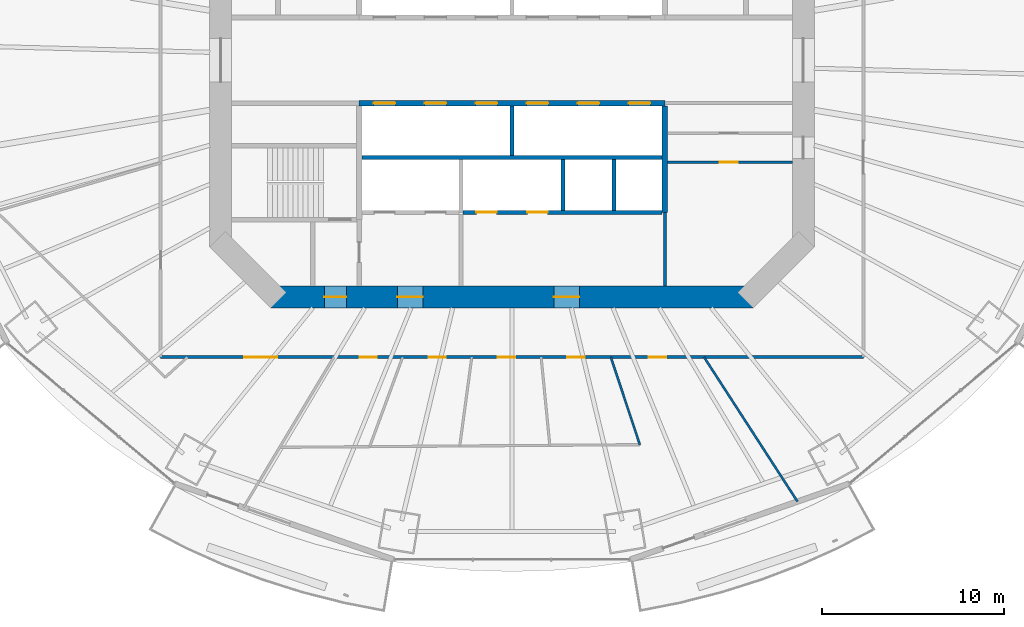
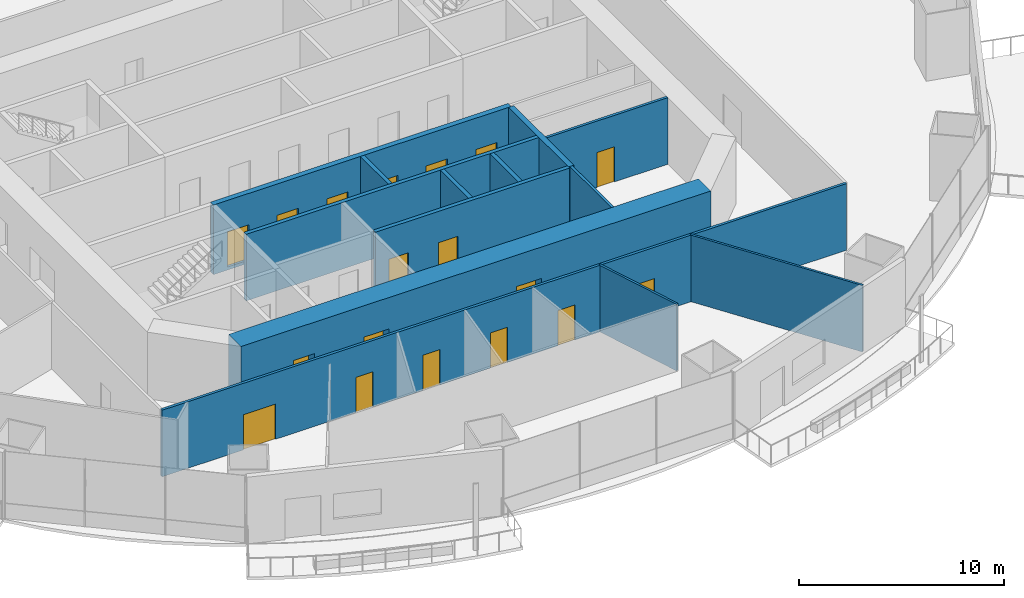
# One storey, part 13 of 20: 18 doors, 13 walls, 18 openings.
"""IFC4 building model written with IfcOpenShell, lengths in metres."""

import ifcopenshell
import ifcopenshell.guid

model = None  # the IFC model being written
_history = None  # IfcOwnerHistory: only IFC2X3 demands one
_inside = {}  # id of a spatial element -> (the spatial element, [elements in it])
_under = {}  # id of a project, library or spatial element -> (it, [spatial elements below it])
_declared = {}  # id of a project -> (the project, [libraries it declares])
_typed = {}  # id of a type object -> (the type object, [elements of that type])
_made_of = {}  # id of a material, layer set ... -> (it, [elements and type objects made of it])


def new_model(schema):
    """Start an empty IFC model of exactly this schema.

    Asked for "IFC4X3", IfcOpenShell would pick the latest addendum, in which some entities
    have other attributes; the version numbers below select the first issue.
    IFC2X3 requires an IfcOwnerHistory on every rooted entity: one is made here for all.
    """
    global model, _history
    if schema == "IFC4X3":
        model = ifcopenshell.file(schema_version=(4, 3, 0, 0))
    else:
        model = ifcopenshell.file(schema=schema)
    _inside.clear()
    _under.clear()
    _declared.clear()
    _typed.clear()
    _made_of.clear()
    _history = None
    if model.schema == "IFC2X3":
        org = make("IfcOrganization", Name="unknown")
        user = make(
            "IfcPersonAndOrganization",
            ThePerson=make("IfcPerson", FamilyName="unknown"),
            TheOrganization=org,
        )
        app = make(
            "IfcApplication",
            ApplicationDeveloper=org,
            Version="unknown",
            ApplicationFullName="unknown",
            ApplicationIdentifier="unknown",
        )
        _history = make(
            "IfcOwnerHistory",
            OwningUser=user,
            OwningApplication=app,
            ChangeAction="ADDED",
            CreationDate=0,
        )
    return model


def make(cls, **values):
    """One entity of the class cls with the attributes given. An attribute that is None is left unset."""
    return model.create_entity(
        cls, **{name: value for name, value in values.items() if value is not None}
    )


def rooted(cls, **values):
    """An entity with a GlobalId (a new one), such as an element, a storey or a relation."""
    return make(cls, GlobalId=ifcopenshell.guid.new(), OwnerHistory=_history, **values)


def si_unit(unit_type, name, prefix=None):
    """IfcSIUnit, for example si_unit("LENGTHUNIT", "METRE", prefix="MILLI")."""
    return make("IfcSIUnit", UnitType=unit_type, Prefix=prefix, Name=name)


def assignment(units):
    """IfcUnitAssignment: the units of a project."""
    return None if units is None else make("IfcUnitAssignment", Units=units)


def point(xyz):
    """IfcCartesianPoint."""
    return None if xyz is None else make("IfcCartesianPoint", Coordinates=xyz)


def direction(xyz):
    """IfcDirection."""
    return None if xyz is None else make("IfcDirection", DirectionRatios=xyz)


def frame(location, z_axis=None, x_axis=None):
    """IfcAxis2Placement3D, a coordinate frame: its origin and axes. An axis left out is left unset."""
    return make(
        "IfcAxis2Placement3D",
        Location=point(location),
        Axis=direction(z_axis),
        RefDirection=direction(x_axis),
    )


def frame_2d(location, x_axis=None):
    """IfcAxis2Placement2D, a coordinate frame in the plane: its origin and x axis."""
    return make(
        "IfcAxis2Placement2D", Location=point(location), RefDirection=direction(x_axis)
    )


def origin():
    """The frame at (0, 0, 0) with its axes left unset."""
    return frame((0.0, 0.0, 0.0))


def place(relative_to, where):
    """IfcLocalPlacement: puts the frame where relative to a parent placement (None: the world)."""
    return make(
        "IfcLocalPlacement", PlacementRelTo=relative_to, RelativePlacement=where
    )


def context(
    kind, dimensions, precision=None, world=None, true_north=None, identifier=None
):
    """IfcGeometricRepresentationContext, for example the 3D "Model" context."""
    return make(
        "IfcGeometricRepresentationContext",
        ContextIdentifier=identifier,
        ContextType=kind,
        CoordinateSpaceDimension=dimensions,
        Precision=precision,
        WorldCoordinateSystem=world,
        TrueNorth=true_north,
    )


def subcontext(parent, identifier, kind, view, scale=None):
    """IfcGeometricRepresentationSubContext, for example "Body" below "Model"."""
    return make(
        "IfcGeometricRepresentationSubContext",
        ContextIdentifier=identifier,
        ContextType=kind,
        ParentContext=parent,
        TargetScale=scale,
        TargetView=view,
    )


def project(units=None, contexts=None):
    """IfcProject with its units and contexts."""
    return rooted(
        "IfcProject",
        Name="project",
        RepresentationContexts=contexts,
        UnitsInContext=assignment(units),
    )


def spatial(cls, under=None, at=None, **own):
    """A site, building, storey or space (cls), placed at a placement, below another one or the project."""
    s = rooted(cls, ObjectPlacement=at, **own)
    if under is not None:
        _under.setdefault(under.id(), (under, []))[1].append(s)
    return s


def profile(cls, at=None, kind="AREA", **sizes):
    """A parametric profile (cls). Its sizes go by their IFC names, for example OverallWidth=200.0."""
    return make(cls, ProfileType=kind, Position=at, **sizes)


def rectangle(**sizes):
    """IfcRectangleProfileDef."""
    return profile("IfcRectangleProfileDef", **sizes)


def extrude(swept, where, along, depth):
    """IfcExtrudedAreaSolid: the profile swept, set in the frame where, extruded along a direction by depth."""
    return make(
        "IfcExtrudedAreaSolid",
        SweptArea=swept,
        Position=where,
        ExtrudedDirection=direction(along),
        Depth=depth,
    )


def shape(context_of_items, identifier, shape_type, items):
    """IfcShapeRepresentation: the items that make up one representation, for example the "Body"."""
    return make(
        "IfcShapeRepresentation",
        ContextOfItems=context_of_items,
        RepresentationIdentifier=identifier,
        RepresentationType=shape_type,
        Items=items,
    )


def material(Name=None, Category=None):
    """IfcMaterial."""
    return make("IfcMaterial", Name=Name, Category=Category)


def layer(
    of_material, thickness, ventilated=None, Name=None, Category=None, Priority=None
):
    """IfcMaterialLayer: one layer of a wall or slab, of a material (None: an air gap)."""
    return make(
        "IfcMaterialLayer",
        Material=of_material,
        LayerThickness=thickness,
        IsVentilated=ventilated,
        Name=Name,
        Category=Category,
        Priority=Priority,
    )


def layer_set(layers, Name=None):
    """IfcMaterialLayerSet."""
    return make("IfcMaterialLayerSet", MaterialLayers=layers, LayerSetName=Name)


def made_of(thing, what):
    """Note that an element or type object is made of a material, layer set ...; save() writes the relation."""
    if what is not None:
        _made_of.setdefault(what.id(), (what, []))[1].append(thing)
    return thing


def type_object(cls, material=None, **own):
    """A type object (cls), such as IfcWallType, which elements share."""
    return made_of(rooted(cls, **own), material)


def element(
    cls,
    number,
    at=None,
    inside=None,
    cuts=None,
    type_object=None,
    material=None,
    context=None,
    identifier="Body",
    shape_type=None,
    held_by="IfcProductDefinitionShape",
    body=None,
    shapes=None,
    **own,
):
    """One element of the class cls, such as IfcWall. Its Tag is "e" and its number.

    at: its placement. inside: the storey or other place that contains it. cuts: it is an
    opening in that element (IfcRelVoidsElement). A single representation is given by context,
    identifier, shape_type and body (its items); several are given by shapes. held_by: the class
    of the entity that holds the representations. save() writes the other relations.
    """
    e = rooted(cls, Tag="e%d" % number, ObjectPlacement=at, **own)
    if body is not None:
        shapes = [shape(context, identifier, shape_type, body)]
    if shapes is not None:
        e.Representation = make(held_by, Representations=shapes)
    if inside is not None:
        _inside.setdefault(inside.id(), (inside, []))[1].append(e)
    if cuts is not None:
        rooted(
            "IfcRelVoidsElement", RelatingBuildingElement=cuts, RelatedOpeningElement=e
        )
    if type_object is not None:
        _typed.setdefault(type_object.id(), (type_object, []))[1].append(e)
    return made_of(e, material)


def fill(opening, filler):
    """IfcRelFillsElement: the door or window that sits in an opening."""
    return rooted(
        "IfcRelFillsElement",
        RelatingOpeningElement=opening,
        RelatedBuildingElement=filler,
    )


def aggregate(whole, parts):
    """IfcRelAggregates: a whole, such as a stair, and the parts it consists of."""
    return rooted("IfcRelAggregates", RelatingObject=whole, RelatedObjects=parts)


def save(model, path):
    """Write the relations noted so far, then the file.

    IfcRelAggregates (storeys below a building ...), IfcRelContainedInSpatialStructure (elements
    in a storey), IfcRelDefinesByType, IfcRelAssociatesMaterial and IfcRelDeclares: one each for
    every whole, place, type object, material and project.
    """
    for whole, parts in _under.values():
        aggregate(whole, parts)
    for where, things in _inside.values():
        rooted(
            "IfcRelContainedInSpatialStructure",
            RelatedElements=things,
            RelatingStructure=where,
        )
    for kind, things in _typed.values():
        rooted("IfcRelDefinesByType", RelatedObjects=things, RelatingType=kind)
    for what, things in _made_of.values():
        rooted("IfcRelAssociatesMaterial", RelatedObjects=things, RelatingMaterial=what)
    for by, libraries in _declared.values():
        rooted("IfcRelDeclares", RelatingContext=by, RelatedDefinitions=libraries)
    model.write(path)


model = new_model("IFC4")

# Units and contexts
model_context = context("Model", 3, precision=1e-05, world=origin(), true_north=direction((0.0, 1.0)))
body_context = subcontext(model_context, "Body", "Model", "MODEL_VIEW")
ifc_project = project(units=[si_unit("LENGTHUNIT", "METRE"), si_unit("AREAUNIT", "SQUARE_METRE"), si_unit("VOLUMEUNIT", "CUBIC_METRE"), si_unit("PLANEANGLEUNIT", "RADIAN"), si_unit("MASSUNIT", "GRAM", prefix="KILO")], contexts=[model_context])

# Site, building, storey
site_placement = place(None, origin())
site = spatial("IfcSite", under=ifc_project, at=site_placement, CompositionType="ELEMENT")
building_placement = place(site_placement, origin())
building = spatial("IfcBuilding", under=site, at=building_placement, Name="Marenthal Gate Tower", CompositionType="ELEMENT")
storey_placement = place(building_placement, frame((0.0, 0.0, 136.75)))
storey = spatial("IfcBuildingStorey", under=building, at=storey_placement, Name="L29", CompositionType="ELEMENT", Elevation=136.75)

# Wall, openings, doors
ifc_material_1 = material(Name="Concrete 60 MPa", Category="concrete")
ifc_layer_1 = layer(ifc_material_1, 1.199951171875)
ifc_layer_set_1 = layer_set([ifc_layer_1], Name="Core shear wall 1200")
wall_type_1 = type_object("IfcWallType", Name="Core shear wall 1200", PredefinedType="SHEAR", material=ifc_layer_set_1)
wall_1_placement = place(storey_placement, frame((-13.24853515625, -13.0, -0.179931640625), z_axis=(0.0, 0.0, 1.0), x_axis=(1.0, 0.0, 0.0)))
wall_1 = element("IfcWall", 1, at=wall_1_placement, inside=storey, type_object=wall_type_1, Name="Core wall 08", PredefinedType="SHEAR", context=body_context, shape_type="SweptSolid", body=[
    extrude(rectangle(XDim=26.4970703125, YDim=1.199951171875, at=frame_2d((13.24853515625, 0.0))), origin(), (0.0, 0.0, 1.0), 4.14990234375),
])
opening_1_placement = place(wall_1_placement, frame((2.948486328125, 0.0, 0.179931640625)))
opening_1 = element("IfcOpeningElement", 2, at=opening_1_placement, cuts=wall_1, Name="Opening D001.06", PredefinedType="OPENING", context=body_context, shape_type="SweptSolid", body=[
    extrude(rectangle(XDim=1.199951171875, YDim=2.10009765625, at=frame_2d((0.60009765625, 1.050048828125))), frame((0.0, 0.60986328125, 0.0), z_axis=(0.0, -1.0, 0.0), x_axis=(1.0, 0.0, 0.0)), (0.0, 0.0, 1.0), 1.219970703125),
])
opening_2_placement = place(wall_1_placement, frame((6.948486328125, 0.0, 0.179931640625)))
opening_2 = element("IfcOpeningElement", 3, at=opening_2_placement, cuts=wall_1, Name="Opening D004.01", PredefinedType="OPENING", context=body_context, shape_type="SweptSolid", body=[
    extrude(rectangle(XDim=1.39990234375, YDim=2.10009765625, at=frame_2d((0.699951171875, 1.050048828125))), frame((0.0, 0.60986328125, 0.0), z_axis=(0.0, -1.0, 0.0), x_axis=(1.0, 0.0, 0.0)), (0.0, 0.0, 1.0), 1.219970703125),
])
opening_3_placement = place(wall_1_placement, frame((15.548583984375, 0.0, 0.179931640625)))
opening_3 = element("IfcOpeningElement", 4, at=opening_3_placement, cuts=wall_1, Name="Opening D004.02", PredefinedType="OPENING", context=body_context, shape_type="SweptSolid", body=[
    extrude(rectangle(XDim=1.39990234375, YDim=2.10009765625, at=frame_2d((0.699951171875, 1.050048828125))), frame((0.0, 0.60986328125, 0.0), z_axis=(0.0, -1.0, 0.0), x_axis=(1.0, 0.0, 0.0)), (0.0, 0.0, 1.0), 1.219970703125),
])
ifc_material_2 = material(Name="Steel fire door", Category="steel")
door_type_1 = type_object("IfcDoorType", Name="Fire door FD 45 1400 x 2100", OperationType="NOTDEFINED", PredefinedType="DOOR", material=ifc_material_2)
door_1_placement = place(opening_2_placement, origin())
door_1 = element("IfcDoor", 5, at=door_1_placement, inside=storey, type_object=door_type_1, Name="Door D004.01", OperationType="SINGLE_SWING_RIGHT", OverallHeight=2.10009765625, OverallWidth=1.39990234375, PredefinedType="DOOR", context=body_context, shape_type="SweptSolid", body=[
    extrude(rectangle(XDim=1.39990234375, YDim=2.10009765625, at=frame_2d((0.699951171875, 1.050048828125))), frame((0.0, 0.02490234375, 0.0), z_axis=(0.0, -1.0, 0.0), x_axis=(1.0, 0.0, 0.0)), (0.0, 0.0, 1.0), 0.050048828125),
])
fill(opening_2, door_1)
door_2_placement = place(opening_3_placement, origin())
door_2 = element("IfcDoor", 6, at=door_2_placement, inside=storey, type_object=door_type_1, Name="Door D004.02", OperationType="SINGLE_SWING_RIGHT", OverallHeight=2.10009765625, OverallWidth=1.39990234375, PredefinedType="DOOR", context=body_context, shape_type="SweptSolid", body=[
    extrude(rectangle(XDim=1.39990234375, YDim=2.10009765625, at=frame_2d((0.699951171875, 1.050048828125))), frame((0.0, 0.02490234375, 0.0), z_axis=(0.0, -1.0, 0.0), x_axis=(1.0, 0.0, 0.0)), (0.0, 0.0, 1.0), 0.050048828125),
])
fill(opening_3, door_2)
ifc_material_3 = material(Name="Steel fire door", Category="steel")
door_type_2 = type_object("IfcDoorType", Name="Fire door FD 90 1200 x 2100", OperationType="NOTDEFINED", PredefinedType="DOOR", material=ifc_material_3)
door_3_placement = place(opening_1_placement, origin())
door_3 = element("IfcDoor", 7, at=door_3_placement, inside=storey, type_object=door_type_2, Name="Door D001.06", OperationType="SINGLE_SWING_RIGHT", OverallHeight=2.10009765625, OverallWidth=1.199951171875, PredefinedType="DOOR", context=body_context, shape_type="SweptSolid", body=[
    extrude(rectangle(XDim=1.199951171875, YDim=2.10009765625, at=frame_2d((0.60009765625, 1.050048828125))), frame((0.0, 0.02490234375, 0.0), z_axis=(0.0, -1.0, 0.0), x_axis=(1.0, 0.0, 0.0)), (0.0, 0.0, 1.0), 0.050048828125),
])
fill(opening_1, door_3)

ifc_material_4 = material(Name="Concrete 50 MPa", Category="concrete")
ifc_layer_2 = layer(ifc_material_4, 0.300048828125)
ifc_layer_set_2 = layer_set([ifc_layer_2], Name="Hoistway shear wall 300")
wall_type_2 = type_object("IfcWallType", Name="Hoistway shear wall 300", PredefinedType="SHEAR", material=ifc_layer_set_2)
wall_2_placement = place(storey_placement, frame((-8.39990234375, -2.35009765625, -0.179931640625), z_axis=(0.0, 0.0, 1.0), x_axis=(1.0, 0.0, 0.0)))
wall_2 = element("IfcWall", 8, at=wall_2_placement, inside=storey, type_object=wall_type_2, Name="Hoistway wall 17", PredefinedType="SHEAR", context=body_context, shape_type="SweptSolid", body=[
    extrude(rectangle(XDim=16.7998046875, YDim=0.300048828125, at=frame_2d((8.39990234375, 0.0))), origin(), (0.0, 0.0, 1.0), 4.14990234375),
])
opening_4_placement = place(wall_2_placement, frame((0.800048828125, 0.0, 0.179931640625)))
opening_4 = element("IfcOpeningElement", 9, at=opening_4_placement, cuts=wall_2, Name="Opening LD-LP7", PredefinedType="OPENING", context=body_context, shape_type="SweptSolid", body=[
    extrude(rectangle(XDim=1.199951171875, YDim=2.10009765625, at=frame_2d((0.60009765625, 1.050048828125))), frame((0.0, 0.16015625, 0.0), z_axis=(0.0, -1.0, 0.0), x_axis=(1.0, 0.0, 0.0)), (0.0, 0.0, 1.0), 0.320068359375),
])
opening_5_placement = place(wall_2_placement, frame((3.60009765625, 0.0, 0.179931640625)))
opening_5 = element("IfcOpeningElement", 10, at=opening_5_placement, cuts=wall_2, Name="Opening LD-LP8", PredefinedType="OPENING", context=body_context, shape_type="SweptSolid", body=[
    extrude(rectangle(XDim=1.199951171875, YDim=2.10009765625, at=frame_2d((0.60009765625, 1.050048828125))), frame((0.0, 0.16015625, 0.0), z_axis=(0.0, -1.0, 0.0), x_axis=(1.0, 0.0, 0.0)), (0.0, 0.0, 1.0), 0.320068359375),
])
opening_6_placement = place(wall_2_placement, frame((6.39990234375, 0.0, 0.179931640625)))
opening_6 = element("IfcOpeningElement", 11, at=opening_6_placement, cuts=wall_2, Name="Opening LD-LP9", PredefinedType="OPENING", context=body_context, shape_type="SweptSolid", body=[
    extrude(rectangle(XDim=1.199951171875, YDim=2.10009765625, at=frame_2d((0.60009765625, 1.050048828125))), frame((0.0, 0.16015625, 0.0), z_axis=(0.0, -1.0, 0.0), x_axis=(1.0, 0.0, 0.0)), (0.0, 0.0, 1.0), 0.320068359375),
])
opening_7_placement = place(wall_2_placement, frame((9.199951171875, 0.0, 0.179931640625)))
opening_7 = element("IfcOpeningElement", 12, at=opening_7_placement, cuts=wall_2, Name="Opening LD-LP10", PredefinedType="OPENING", context=body_context, shape_type="SweptSolid", body=[
    extrude(rectangle(XDim=1.199951171875, YDim=2.10009765625, at=frame_2d((0.60009765625, 1.050048828125))), frame((0.0, 0.16015625, 0.0), z_axis=(0.0, -1.0, 0.0), x_axis=(1.0, 0.0, 0.0)), (0.0, 0.0, 1.0), 0.320068359375),
])
opening_8_placement = place(wall_2_placement, frame((12.0, 0.0, 0.179931640625)))
opening_8 = element("IfcOpeningElement", 13, at=opening_8_placement, cuts=wall_2, Name="Opening LD-LP11", PredefinedType="OPENING", context=body_context, shape_type="SweptSolid", body=[
    extrude(rectangle(XDim=1.199951171875, YDim=2.10009765625, at=frame_2d((0.60009765625, 1.050048828125))), frame((0.0, 0.16015625, 0.0), z_axis=(0.0, -1.0, 0.0), x_axis=(1.0, 0.0, 0.0)), (0.0, 0.0, 1.0), 0.320068359375),
])
opening_9_placement = place(wall_2_placement, frame((14.800048828125, 0.0, 0.179931640625)))
opening_9 = element("IfcOpeningElement", 14, at=opening_9_placement, cuts=wall_2, Name="Opening LD-LP12", PredefinedType="OPENING", context=body_context, shape_type="SweptSolid", body=[
    extrude(rectangle(XDim=1.199951171875, YDim=2.10009765625, at=frame_2d((0.60009765625, 1.050048828125))), frame((0.0, 0.16015625, 0.0), z_axis=(0.0, -1.0, 0.0), x_axis=(1.0, 0.0, 0.0)), (0.0, 0.0, 1.0), 0.320068359375),
])
ifc_material_5 = material(Name="Stainless steel sliding door", Category="steel")
door_type_3 = type_object("IfcDoorType", Name="Lift landing door FD 90 1200 x 2100", OperationType="DOUBLE_DOOR_SLIDING", PredefinedType="DOOR", material=ifc_material_5)
door_4_placement = place(opening_4_placement, origin())
door_4 = element("IfcDoor", 15, at=door_4_placement, inside=storey, type_object=door_type_3, Name="Lift landing door LP7", OperationType="DOUBLE_DOOR_SLIDING", OverallHeight=2.10009765625, OverallWidth=1.199951171875, PredefinedType="DOOR", context=body_context, shape_type="SweptSolid", body=[
    extrude(rectangle(XDim=1.199951171875, YDim=2.10009765625, at=frame_2d((0.60009765625, 1.050048828125))), frame((0.0, 0.02490234375, 0.0), z_axis=(0.0, -1.0, 0.0), x_axis=(1.0, 0.0, 0.0)), (0.0, 0.0, 1.0), 0.050048828125),
])
fill(opening_4, door_4)
door_5_placement = place(opening_5_placement, origin())
door_5 = element("IfcDoor", 16, at=door_5_placement, inside=storey, type_object=door_type_3, Name="Lift landing door LP8", OperationType="DOUBLE_DOOR_SLIDING", OverallHeight=2.10009765625, OverallWidth=1.199951171875, PredefinedType="DOOR", context=body_context, shape_type="SweptSolid", body=[
    extrude(rectangle(XDim=1.199951171875, YDim=2.10009765625, at=frame_2d((0.60009765625, 1.050048828125))), frame((0.0, 0.02490234375, 0.0), z_axis=(0.0, -1.0, 0.0), x_axis=(1.0, 0.0, 0.0)), (0.0, 0.0, 1.0), 0.050048828125),
])
fill(opening_5, door_5)
door_6_placement = place(opening_6_placement, origin())
door_6 = element("IfcDoor", 17, at=door_6_placement, inside=storey, type_object=door_type_3, Name="Lift landing door LP9", OperationType="DOUBLE_DOOR_SLIDING", OverallHeight=2.10009765625, OverallWidth=1.199951171875, PredefinedType="DOOR", context=body_context, shape_type="SweptSolid", body=[
    extrude(rectangle(XDim=1.199951171875, YDim=2.10009765625, at=frame_2d((0.60009765625, 1.050048828125))), frame((0.0, 0.02490234375, 0.0), z_axis=(0.0, -1.0, 0.0), x_axis=(1.0, 0.0, 0.0)), (0.0, 0.0, 1.0), 0.050048828125),
])
fill(opening_6, door_6)
door_7_placement = place(opening_7_placement, origin())
door_7 = element("IfcDoor", 18, at=door_7_placement, inside=storey, type_object=door_type_3, Name="Lift landing door LP10", OperationType="DOUBLE_DOOR_SLIDING", OverallHeight=2.10009765625, OverallWidth=1.199951171875, PredefinedType="DOOR", context=body_context, shape_type="SweptSolid", body=[
    extrude(rectangle(XDim=1.199951171875, YDim=2.10009765625, at=frame_2d((0.60009765625, 1.050048828125))), frame((0.0, 0.02490234375, 0.0), z_axis=(0.0, -1.0, 0.0), x_axis=(1.0, 0.0, 0.0)), (0.0, 0.0, 1.0), 0.050048828125),
])
fill(opening_7, door_7)
door_8_placement = place(opening_8_placement, origin())
door_8 = element("IfcDoor", 19, at=door_8_placement, inside=storey, type_object=door_type_3, Name="Lift landing door LP11", OperationType="DOUBLE_DOOR_SLIDING", OverallHeight=2.10009765625, OverallWidth=1.199951171875, PredefinedType="DOOR", context=body_context, shape_type="SweptSolid", body=[
    extrude(rectangle(XDim=1.199951171875, YDim=2.10009765625, at=frame_2d((0.60009765625, 1.050048828125))), frame((0.0, 0.02490234375, 0.0), z_axis=(0.0, -1.0, 0.0), x_axis=(1.0, 0.0, 0.0)), (0.0, 0.0, 1.0), 0.050048828125),
])
fill(opening_8, door_8)
door_9_placement = place(opening_9_placement, origin())
door_9 = element("IfcDoor", 20, at=door_9_placement, inside=storey, type_object=door_type_3, Name="Lift landing door LP12", OperationType="DOUBLE_DOOR_SLIDING", OverallHeight=2.10009765625, OverallWidth=1.199951171875, PredefinedType="DOOR", context=body_context, shape_type="SweptSolid", body=[
    extrude(rectangle(XDim=1.199951171875, YDim=2.10009765625, at=frame_2d((0.60009765625, 1.050048828125))), frame((0.0, 0.02490234375, 0.0), z_axis=(0.0, -1.0, 0.0), x_axis=(1.0, 0.0, 0.0)), (0.0, 0.0, 1.0), 0.050048828125),
])
fill(opening_9, door_9)

# Wall
wall_3_placement = place(storey_placement, frame((8.39990234375, -8.35009765625, -0.179931640625), z_axis=(0.0, 0.0, 1.0), x_axis=(0.0, 1.0, 0.0)))
element("IfcWall", 21, at=wall_3_placement, inside=storey, type_object=wall_type_2, Name="Hoistway wall 43", PredefinedType="SHEAR", context=body_context, shape_type="SweptSolid", body=[
    extrude(rectangle(XDim=5.85009765625, YDim=0.300048828125, at=frame_2d((2.925048828125, 0.0))), origin(), (0.0, 0.0, 1.0), 4.14990234375),
])

# Wall, openings, doors
ifc_material_6 = material(Name="Concrete 40 MPa", Category="concrete")
ifc_layer_3 = layer(ifc_material_6, 0.219970703125)
ifc_layer_set_3 = layer_set([ifc_layer_3], Name="Hoistway wall 220")
wall_type_3 = type_object("IfcWallType", Name="Hoistway wall 220", PredefinedType="STANDARD", material=ifc_layer_set_3)
wall_4_placement = place(storey_placement, frame((-2.68994140625, -8.35009765625, 0.0), z_axis=(0.0, 0.0, 1.0), x_axis=(1.0, 0.0, 0.0)))
wall_4 = element("IfcWall", 22, at=wall_4_placement, inside=storey, type_object=wall_type_3, Name="Hoistway wall 11", PredefinedType="STANDARD", context=body_context, shape_type="SweptSolid", body=[
    extrude(rectangle(XDim=10.93994140625, YDim=0.219970703125, at=frame_2d((5.469970703125, 0.0))), origin(), (0.0, 0.0, 1.0), 3.969970703125),
])
opening_10_placement = place(wall_4_placement, frame((0.739990234375, 0.0, 0.0)))
opening_10 = element("IfcOpeningElement", 23, at=opening_10_placement, cuts=wall_4, Name="Opening LD-SV1", PredefinedType="OPENING", context=body_context, shape_type="SweptSolid", body=[
    extrude(rectangle(XDim=1.10009765625, YDim=2.10009765625, at=frame_2d((0.550048828125, 1.050048828125))), frame((0.0, 0.1201171875, 0.0), z_axis=(0.0, -1.0, 0.0), x_axis=(1.0, 0.0, 0.0)), (0.0, 0.0, 1.0), 0.239990234375),
])
opening_11_placement = place(wall_4_placement, frame((3.5400390625, 0.0, 0.0)))
opening_11 = element("IfcOpeningElement", 24, at=opening_11_placement, cuts=wall_4, Name="Opening LD-SV2", PredefinedType="OPENING", context=body_context, shape_type="SweptSolid", body=[
    extrude(rectangle(XDim=1.10009765625, YDim=2.10009765625, at=frame_2d((0.550048828125, 1.050048828125))), frame((0.0, 0.1201171875, 0.0), z_axis=(0.0, -1.0, 0.0), x_axis=(1.0, 0.0, 0.0)), (0.0, 0.0, 1.0), 0.239990234375),
])
ifc_material_7 = material(Name="Stainless steel sliding door", Category="steel")
door_type_4 = type_object("IfcDoorType", Name="Lift landing door FD 90 1100 x 2100", OperationType="DOUBLE_DOOR_SLIDING", PredefinedType="DOOR", material=ifc_material_7)
door_10_placement = place(opening_10_placement, origin())
door_10 = element("IfcDoor", 25, at=door_10_placement, inside=storey, type_object=door_type_4, Name="Lift landing door SV1", OperationType="DOUBLE_DOOR_SLIDING", OverallHeight=2.10009765625, OverallWidth=1.10009765625, PredefinedType="DOOR", context=body_context, shape_type="SweptSolid", body=[
    extrude(rectangle(XDim=1.10009765625, YDim=2.10009765625, at=frame_2d((0.550048828125, 1.050048828125))), frame((0.0, 0.02490234375, 0.0), z_axis=(0.0, -1.0, 0.0), x_axis=(1.0, 0.0, 0.0)), (0.0, 0.0, 1.0), 0.050048828125),
])
fill(opening_10, door_10)
door_11_placement = place(opening_11_placement, origin())
door_11 = element("IfcDoor", 26, at=door_11_placement, inside=storey, type_object=door_type_4, Name="Lift landing door SV2", OperationType="DOUBLE_DOOR_SLIDING", OverallHeight=2.10009765625, OverallWidth=1.10009765625, PredefinedType="DOOR", context=body_context, shape_type="SweptSolid", body=[
    extrude(rectangle(XDim=1.10009765625, YDim=2.10009765625, at=frame_2d((0.550048828125, 1.050048828125))), frame((0.0, 0.02490234375, 0.0), z_axis=(0.0, -1.0, 0.0), x_axis=(1.0, 0.0, 0.0)), (0.0, 0.0, 1.0), 0.050048828125),
])
fill(opening_11, door_11)

# Walls
wall_5_placement = place(storey_placement, frame((-8.25, -5.35009765625, 0.0), z_axis=(0.0, 0.0, 1.0), x_axis=(1.0, 0.0, 0.0)))
element("IfcWall", 27, at=wall_5_placement, inside=storey, type_object=wall_type_3, Name="Hoistway wall 13", PredefinedType="STANDARD", context=body_context, shape_type="SweptSolid", body=[
    extrude(rectangle(XDim=16.5, YDim=0.219970703125, at=frame_2d((8.25, 0.0))), origin(), (0.0, 0.0, 1.0), 3.969970703125),
])
wall_6_placement = place(storey_placement, frame((0.0, -5.239990234375, 0.0), z_axis=(0.0, 0.0, 1.0), x_axis=(0.0, 1.0, 0.0)))
element("IfcWall", 28, at=wall_6_placement, inside=storey, type_object=wall_type_3, Name="Hoistway wall 36", PredefinedType="STANDARD", context=body_context, shape_type="SweptSolid", body=[
    extrude(rectangle(XDim=2.739990234375, YDim=0.219970703125, at=frame_2d((1.3701171875, 0.0))), origin(), (0.0, 0.0, 1.0), 3.969970703125),
])
for number, where, z_axis, x_axis, name in (
    (29, (2.800048828125, -8.239990234375, 0.0), (0.0, 0.0, 1.0), (0.0, 1.0, 0.0), "Hoistway wall 38"),
    (30, (5.60009765625, -8.239990234375, 0.0), (0.0, 0.0, 1.0), (0.0, 1.0, 0.0), "Hoistway wall 41"),
):
    element("IfcWall", number, at=place(storey_placement, frame(where, z_axis=z_axis, x_axis=x_axis)), inside=storey, type_object=wall_type_3, Name=name, PredefinedType="STANDARD", context=body_context, shape_type="SweptSolid", body=[
        extrude(rectangle(XDim=2.780029296875, YDim=0.219970703125, at=frame_2d((1.39013671875, 0.0))), origin(), (0.0, 0.0, 1.0), 3.969970703125),
    ])
ifc_material_8 = material(Name="Gypsum board on steel studs", Category="steel")
ifc_layer_4 = layer(ifc_material_8, 0.1201171875)
ifc_layer_set_4 = layer_set([ifc_layer_4], Name="Partition 120")
wall_type_4 = type_object("IfcWallType", Name="Partition 120", PredefinedType="PARTITIONING", material=ifc_layer_set_4)
wall_7_placement = place(storey_placement, frame((7.0224609375, -21.10888671875, 0.0), z_axis=(0.0, 0.0, 1.0), x_axis=(-0.315678539319, 0.948866197002, 0.0)))
element("IfcWall", 31, at=wall_7_placement, inside=storey, type_object=wall_type_4, Name="Partition wall 57", PredefinedType="PARTITIONING", context=body_context, shape_type="SweptSolid", body=[
    extrude(rectangle(XDim=5.06787109375, YDim=0.1201171875, at=frame_2d((2.533935546875, 0.0))), origin(), (0.0, 0.0, 1.0), 3.969970703125),
])
wall_8_placement = place(storey_placement, frame((10.5458984375, -16.300048828125, 0.0), z_axis=(0.0, 0.0, 1.0), x_axis=(0.543211638751, -0.839595804852, 0.0)))
element("IfcWall", 32, at=wall_8_placement, inside=storey, type_object=wall_type_4, Name="Partition wall 58", PredefinedType="PARTITIONING", context=body_context, shape_type="SweptSolid", body=[
    extrude(rectangle(XDim=9.448974609375, YDim=0.1201171875, at=frame_2d((4.724609375, 0.0))), origin(), (0.0, 0.0, 1.0), 3.969970703125),
])

# Wall, opening, door
ifc_material_9 = material(Name="Gypsum board on steel studs", Category="steel")
ifc_layer_5 = layer(ifc_material_9, 0.14990234375)
ifc_layer_set_5 = layer_set([ifc_layer_5], Name="Partition 150")
wall_type_5 = type_object("IfcWallType", Name="Partition 150", PredefinedType="PARTITIONING", material=ifc_layer_set_5)
wall_9_placement = place(storey_placement, frame((8.550048828125, -5.60009765625, 0.0), z_axis=(0.0, 0.0, 1.0), x_axis=(1.0, 0.0, 0.0)))
wall_9 = element("IfcWall", 33, at=wall_9_placement, inside=storey, type_object=wall_type_5, Name="Partition wall 12", PredefinedType="PARTITIONING", context=body_context, shape_type="SweptSolid", body=[
    extrude(rectangle(XDim=6.849853515625, YDim=0.14990234375, at=frame_2d((3.4248046875, 0.0))), origin(), (0.0, 0.0, 1.0), 3.969970703125),
])
opening_12_placement = place(wall_9_placement, frame((2.85009765625, 0.0, 0.0)))
opening_12 = element("IfcOpeningElement", 34, at=opening_12_placement, cuts=wall_9, Name="Opening D005.04", PredefinedType="OPENING", context=body_context, shape_type="SweptSolid", body=[
    extrude(rectangle(XDim=1.0, YDim=2.10009765625, at=frame_2d((0.5, 1.050048828125))), frame((0.0, 0.0849609375, 0.0), z_axis=(0.0, -1.0, 0.0), x_axis=(1.0, 0.0, 0.0)), (0.0, 0.0, 1.0), 0.169921875),
])
ifc_material_10 = material(Name="Steel fire door", Category="steel")
door_type_5 = type_object("IfcDoorType", Name="Fire door FD 45 1000 x 2100", OperationType="NOTDEFINED", PredefinedType="DOOR", material=ifc_material_10)
door_12_placement = place(opening_12_placement, frame((1.0, 0.0, 0.0), z_axis=(0.0, 0.0, 1.0), x_axis=(-1.0, 0.0, 0.0)))
door_12 = element("IfcDoor", 35, at=door_12_placement, inside=storey, type_object=door_type_5, Name="Door D005.04", OperationType="SINGLE_SWING_LEFT", OverallHeight=2.10009765625, OverallWidth=1.0, PredefinedType="DOOR", context=body_context, shape_type="SweptSolid", body=[
    extrude(rectangle(XDim=1.0, YDim=2.10009765625, at=frame_2d((0.5, 1.050048828125))), frame((0.0, 0.02490234375, 0.0), z_axis=(0.0, -1.0, 0.0), x_axis=(1.0, 0.0, 0.0)), (0.0, 0.0, 1.0), 0.050048828125),
])
fill(opening_12, door_12)

# Wall
wall_10_placement = place(storey_placement, frame((8.39990234375, -12.39990234375, 0.0), z_axis=(0.0, 0.0, 1.0), x_axis=(0.0, 1.0, 0.0)))
element("IfcWall", 36, at=wall_10_placement, inside=storey, type_object=wall_type_5, Name="Partition wall 42", PredefinedType="PARTITIONING", context=body_context, shape_type="SweptSolid", body=[
    extrude(rectangle(XDim=4.0498046875, YDim=0.14990234375, at=frame_2d((2.02490234375, 0.0))), origin(), (0.0, 0.0, 1.0), 3.969970703125),
])

# Wall, openings, doors
wall_11_placement = place(storey_placement, frame((19.300048828125, -16.300048828125, 0.0), z_axis=(0.0, 0.0, 1.0), x_axis=(-1.0, 0.0, 0.0)))
wall_11 = element("IfcWall", 37, at=wall_11_placement, inside=storey, type_object=wall_type_5, Name="Partition wall 59", PredefinedType="PARTITIONING", context=body_context, shape_type="SweptSolid", body=[
    extrude(rectangle(XDim=38.60009765625, YDim=0.14990234375, at=frame_2d((19.300048828125, 0.0))), origin(), (0.0, 0.0, 1.0), 3.969970703125),
])
opening_13_placement = place(wall_11_placement, frame((32.2060546875, 0.0, 0.0)))
opening_13 = element("IfcOpeningElement", 38, at=opening_13_placement, cuts=wall_11, Name="Opening D014.02", PredefinedType="OPENING", context=body_context, shape_type="SweptSolid", body=[
    extrude(rectangle(XDim=1.800048828125, YDim=2.10009765625, at=frame_2d((0.89990234375, 1.050048828125))), frame((0.0, 0.0849609375, 0.0), z_axis=(0.0, -1.0, 0.0), x_axis=(1.0, 0.0, 0.0)), (0.0, 0.0, 1.0), 0.169921875),
])
opening_14_placement = place(wall_11_placement, frame((26.720947265625, 0.0, 0.0)))
opening_14 = element("IfcOpeningElement", 39, at=opening_14_placement, cuts=wall_11, Name="Opening D016.02", PredefinedType="OPENING", context=body_context, shape_type="SweptSolid", body=[
    extrude(rectangle(XDim=0.949951171875, YDim=2.10009765625, at=frame_2d((0.47509765625, 1.050048828125))), frame((0.0, 0.0849609375, 0.0), z_axis=(0.0, -1.0, 0.0), x_axis=(1.0, 0.0, 0.0)), (0.0, 0.0, 1.0), 0.169921875),
])
opening_15_placement = place(wall_11_placement, frame((22.930908203125, 0.0, 0.0)))
opening_15 = element("IfcOpeningElement", 40, at=opening_15_placement, cuts=wall_11, Name="Opening D016.03", PredefinedType="OPENING", context=body_context, shape_type="SweptSolid", body=[
    extrude(rectangle(XDim=0.949951171875, YDim=2.10009765625, at=frame_2d((0.47509765625, 1.050048828125))), frame((0.0, 0.0849609375, 0.0), z_axis=(0.0, -1.0, 0.0), x_axis=(1.0, 0.0, 0.0)), (0.0, 0.0, 1.0), 0.169921875),
])
opening_16_placement = place(wall_11_placement, frame((19.12890625, 0.0, 0.0)))
opening_16 = element("IfcOpeningElement", 41, at=opening_16_placement, cuts=wall_11, Name="Opening D016.04", PredefinedType="OPENING", context=body_context, shape_type="SweptSolid", body=[
    extrude(rectangle(XDim=0.949951171875, YDim=2.10009765625, at=frame_2d((0.47509765625, 1.050048828125))), frame((0.0, 0.0849609375, 0.0), z_axis=(0.0, -1.0, 0.0), x_axis=(1.0, 0.0, 0.0)), (0.0, 0.0, 1.0), 0.169921875),
])
opening_17_placement = place(wall_11_placement, frame((15.31298828125, 0.0, 0.0)))
opening_17 = element("IfcOpeningElement", 42, at=opening_17_placement, cuts=wall_11, Name="Opening D016.05", PredefinedType="OPENING", context=body_context, shape_type="SweptSolid", body=[
    extrude(rectangle(XDim=0.949951171875, YDim=2.10009765625, at=frame_2d((0.47509765625, 1.050048828125))), frame((0.0, 0.0849609375, 0.0), z_axis=(0.0, -1.0, 0.0), x_axis=(1.0, 0.0, 0.0)), (0.0, 0.0, 1.0), 0.169921875),
])
opening_18_placement = place(wall_11_placement, frame((10.841064453125, 0.0, 0.0)))
opening_18 = element("IfcOpeningElement", 43, at=opening_18_placement, cuts=wall_11, Name="Opening D016.06", PredefinedType="OPENING", context=body_context, shape_type="SweptSolid", body=[
    extrude(rectangle(XDim=0.949951171875, YDim=2.10009765625, at=frame_2d((0.47509765625, 1.050048828125))), frame((0.0, 0.0849609375, 0.0), z_axis=(0.0, -1.0, 0.0), x_axis=(1.0, 0.0, 0.0)), (0.0, 0.0, 1.0), 0.169921875),
])
ifc_material_11 = material(Name="Timber door", Category="wood")
door_type_6 = type_object("IfcDoorType", Name="Door 950 x 2100", OperationType="NOTDEFINED", PredefinedType="DOOR", material=ifc_material_11)
door_13_placement = place(opening_14_placement, origin())
door_13 = element("IfcDoor", 44, at=door_13_placement, inside=storey, type_object=door_type_6, Name="Door D016.02", OperationType="SINGLE_SWING_RIGHT", OverallHeight=2.10009765625, OverallWidth=0.949951171875, PredefinedType="DOOR", context=body_context, shape_type="SweptSolid", body=[
    extrude(rectangle(XDim=0.949951171875, YDim=2.10009765625, at=frame_2d((0.47509765625, 1.050048828125))), frame((0.0, 0.02490234375, 0.0), z_axis=(0.0, -1.0, 0.0), x_axis=(1.0, 0.0, 0.0)), (0.0, 0.0, 1.0), 0.050048828125),
])
fill(opening_14, door_13)
door_14_placement = place(opening_15_placement, origin())
door_14 = element("IfcDoor", 45, at=door_14_placement, inside=storey, type_object=door_type_6, Name="Door D016.03", OperationType="SINGLE_SWING_RIGHT", OverallHeight=2.10009765625, OverallWidth=0.949951171875, PredefinedType="DOOR", context=body_context, shape_type="SweptSolid", body=[
    extrude(rectangle(XDim=0.949951171875, YDim=2.10009765625, at=frame_2d((0.47509765625, 1.050048828125))), frame((0.0, 0.02490234375, 0.0), z_axis=(0.0, -1.0, 0.0), x_axis=(1.0, 0.0, 0.0)), (0.0, 0.0, 1.0), 0.050048828125),
])
fill(opening_15, door_14)
door_15_placement = place(opening_16_placement, origin())
door_15 = element("IfcDoor", 46, at=door_15_placement, inside=storey, type_object=door_type_6, Name="Door D016.04", OperationType="SINGLE_SWING_RIGHT", OverallHeight=2.10009765625, OverallWidth=0.949951171875, PredefinedType="DOOR", context=body_context, shape_type="SweptSolid", body=[
    extrude(rectangle(XDim=0.949951171875, YDim=2.10009765625, at=frame_2d((0.47509765625, 1.050048828125))), frame((0.0, 0.02490234375, 0.0), z_axis=(0.0, -1.0, 0.0), x_axis=(1.0, 0.0, 0.0)), (0.0, 0.0, 1.0), 0.050048828125),
])
fill(opening_16, door_15)
door_16_placement = place(opening_17_placement, origin())
door_16 = element("IfcDoor", 47, at=door_16_placement, inside=storey, type_object=door_type_6, Name="Door D016.05", OperationType="SINGLE_SWING_RIGHT", OverallHeight=2.10009765625, OverallWidth=0.949951171875, PredefinedType="DOOR", context=body_context, shape_type="SweptSolid", body=[
    extrude(rectangle(XDim=0.949951171875, YDim=2.10009765625, at=frame_2d((0.47509765625, 1.050048828125))), frame((0.0, 0.02490234375, 0.0), z_axis=(0.0, -1.0, 0.0), x_axis=(1.0, 0.0, 0.0)), (0.0, 0.0, 1.0), 0.050048828125),
])
fill(opening_17, door_16)
door_17_placement = place(opening_18_placement, origin())
door_17 = element("IfcDoor", 48, at=door_17_placement, inside=storey, type_object=door_type_6, Name="Door D016.06", OperationType="SINGLE_SWING_RIGHT", OverallHeight=2.10009765625, OverallWidth=0.949951171875, PredefinedType="DOOR", context=body_context, shape_type="SweptSolid", body=[
    extrude(rectangle(XDim=0.949951171875, YDim=2.10009765625, at=frame_2d((0.47509765625, 1.050048828125))), frame((0.0, 0.02490234375, 0.0), z_axis=(0.0, -1.0, 0.0), x_axis=(1.0, 0.0, 0.0)), (0.0, 0.0, 1.0), 0.050048828125),
])
fill(opening_18, door_17)
ifc_material_12 = material(Name="Timber door", Category="wood")
door_type_7 = type_object("IfcDoorType", Name="Double door 1800 x 2100", OperationType="DOUBLE_DOOR_SINGLE_SWING", PredefinedType="DOOR", material=ifc_material_12)
door_18_placement = place(opening_13_placement, origin())
door_18 = element("IfcDoor", 49, at=door_18_placement, inside=storey, type_object=door_type_7, Name="Door D014.02", OperationType="DOUBLE_DOOR_SINGLE_SWING", OverallHeight=2.10009765625, OverallWidth=1.800048828125, PredefinedType="DOOR", context=body_context, shape_type="SweptSolid", body=[
    extrude(rectangle(XDim=1.800048828125, YDim=2.10009765625, at=frame_2d((0.89990234375, 1.050048828125))), frame((0.0, 0.02490234375, 0.0), z_axis=(0.0, -1.0, 0.0), x_axis=(1.0, 0.0, 0.0)), (0.0, 0.0, 1.0), 0.050048828125),
])
fill(opening_13, door_18)

save(model, "model.ifc")
